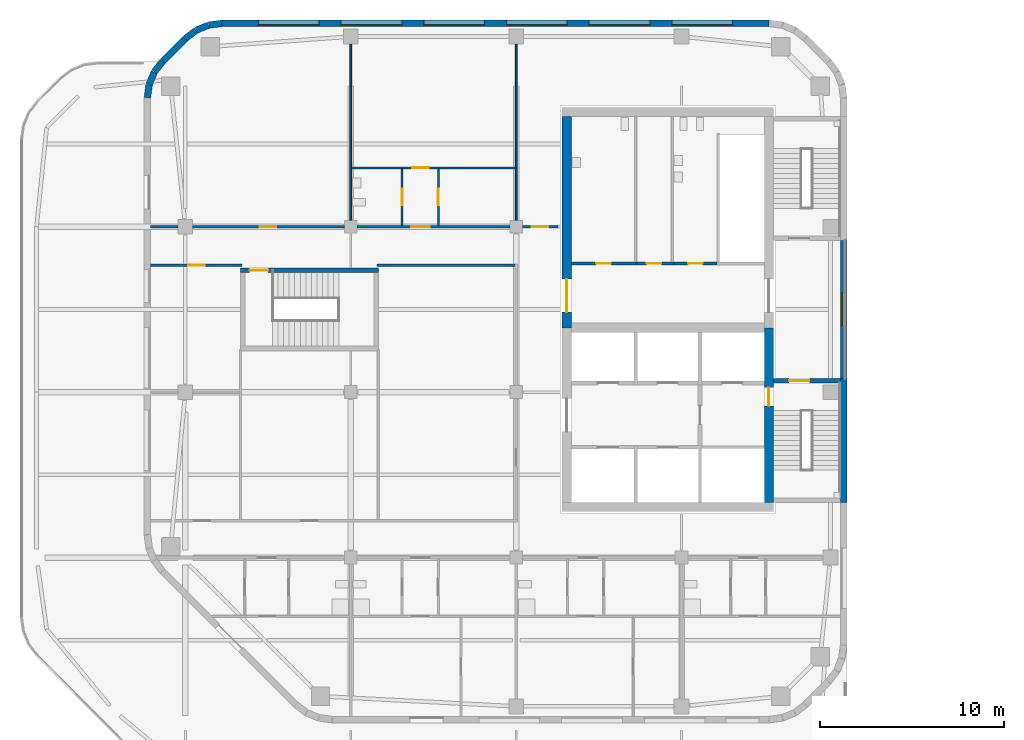
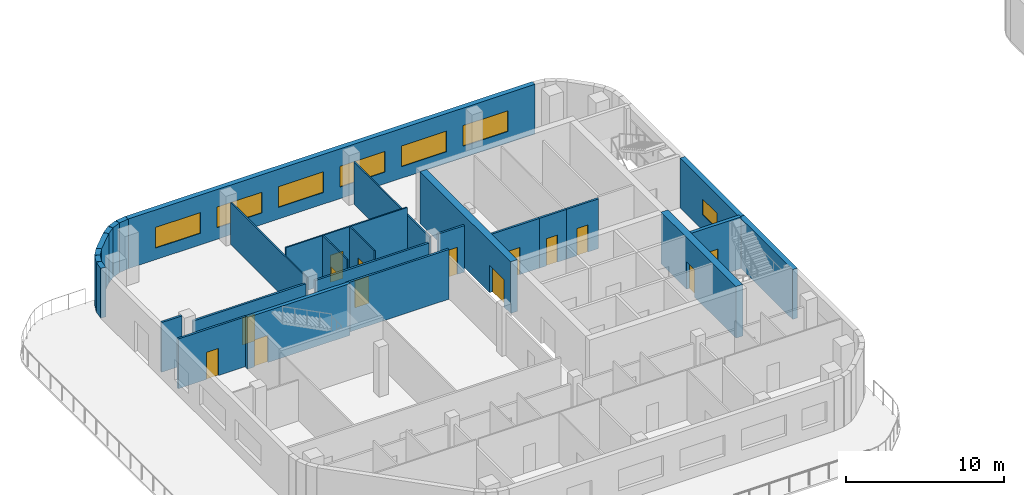
# One storey, part 7 of 15: 28 walls, 14 doors, 7 windows, 21 openings.
"""IFC4 building model written with IfcOpenShell, lengths in metres."""

from ifc_helpers import new_model, si_unit, direction, frame, frame_2d, origin, place, context, subcontext, project, spatial, rectangle, extrude, material, layer, layer_set, type_object, element, fill, save


model = new_model("IFC4")

# Units and contexts
model_context = context("Model", 3, precision=1e-05, world=origin(), true_north=direction((0.0, 1.0)))
body_context = subcontext(model_context, "Body", "Model", "MODEL_VIEW")
ifc_project = project(units=[si_unit("LENGTHUNIT", "METRE"), si_unit("AREAUNIT", "SQUARE_METRE"), si_unit("VOLUMEUNIT", "CUBIC_METRE"), si_unit("PLANEANGLEUNIT", "RADIAN"), si_unit("MASSUNIT", "GRAM", prefix="KILO")], contexts=[model_context])

# Site, building, storey
site_placement = place(None, origin())
site = spatial("IfcSite", under=ifc_project, at=site_placement, CompositionType="ELEMENT")
building_placement = place(site_placement, origin())
building = spatial("IfcBuilding", under=site, at=building_placement, Name="Cinnabar Reach Civic Tower", CompositionType="ELEMENT")
storey_placement = place(building_placement, frame((0.0, 0.0, 51.0)))
storey = spatial("IfcBuildingStorey", under=building, at=storey_placement, Name="L11", CompositionType="ELEMENT", Elevation=51.0)

# Walls
ifc_material_1 = material(Name="Facing brick with insulated backing", Category="masonry")
ifc_layer_1 = layer(ifc_material_1, 0.36)
ifc_layer_set_1 = layer_set([ifc_layer_1], Name="Brick corner wall")
wall_type_1 = type_object("IfcWallType", Name="Brick corner wall", PredefinedType="STANDARD", material=ifc_layer_set_1)
for number, where, z_axis, x_axis, name in (
    (1, (-61.0186, 47.067, 0.0), (0.0, 0.0, 1.0), (-0.99144092581, -0.13055608231, 0.0), "Brick corner wall"),
    (2, (-61.7473, 46.9681, 0.0), (0.0, 0.0, 1.0), (-0.923871547278, -0.382702709855, 0.0), "Brick corner wall"),
):
    element("IfcWall", number, at=place(storey_placement, frame(where, z_axis=z_axis, x_axis=x_axis)), inside=storey, type_object=wall_type_1, Name=name, PredefinedType="STANDARD", context=body_context, shape_type="SweptSolid", body=[
        extrude(rectangle(XDim=0.7131, YDim=0.36, at=frame_2d((0.3565, 0.0))), origin(), (0.0, 0.0, 1.0), 3.85),
    ])
for number, where, z_axis, x_axis, name in (
    (3, (-62.4255, 46.684, 0.0), (0.0, 0.0, 1.0), (-0.793321924995, -0.608802368033, 0.0), "Brick corner wall"),
    (4, (-64.2498, 44.9913, 0.0), (0.0, 0.0, 1.0), (-0.608802368033, -0.793321924995, 0.0), "Brick corner wall"),
):
    element("IfcWall", number, at=place(storey_placement, frame(where, z_axis=z_axis, x_axis=x_axis)), inside=storey, type_object=wall_type_1, Name=name, PredefinedType="STANDARD", context=body_context, shape_type="SweptSolid", body=[
        extrude(rectangle(XDim=0.7132, YDim=0.36, at=frame_2d((0.3566, 0.0))), origin(), (0.0, 0.0, 1.0), 3.85),
    ])
for number, where, z_axis, x_axis, name in (
    (5, (-64.6952, 44.4061, 0.0), (0.0, 0.0, 1.0), (-0.382702709855, -0.923871547278, 0.0), "Brick corner wall"),
    (6, (-64.9739, 43.7256, 0.0), (0.0, 0.0, 1.0), (-0.13055608231, -0.99144092581, 0.0), "Brick corner wall"),
):
    element("IfcWall", number, at=place(storey_placement, frame(where, z_axis=z_axis, x_axis=x_axis)), inside=storey, type_object=wall_type_1, Name=name, PredefinedType="STANDARD", context=body_context, shape_type="SweptSolid", body=[
        extrude(rectangle(XDim=0.7131, YDim=0.36, at=frame_2d((0.3565, 0.0))), origin(), (0.0, 0.0, 1.0), 3.85),
    ])
ifc_layer_2 = layer(ifc_material_1, 0.36)
ifc_layer_set_2 = layer_set([ifc_layer_2], Name="Brick pier and spandrel wall")
wall_type_2 = type_object("IfcWallType", Name="Brick pier and spandrel wall", PredefinedType="STANDARD", material=ifc_layer_set_2)
wall_1_placement = place(storey_placement, frame((-27.18, 21.0, 0.0), z_axis=(0.0, 0.0, 1.0), x_axis=(0.0, 1.0, 0.0)))
element("IfcWall", 7, at=wall_1_placement, inside=storey, type_object=wall_type_2, Name="Brick facade wall", PredefinedType="STANDARD", context=body_context, shape_type="SweptSolid", body=[
    extrude(rectangle(XDim=6.75, YDim=0.36, at=frame_2d((3.375, 0.0))), origin(), (0.0, 0.0, 1.0), 3.85),
])

# Wall, opening, window
wall_2_placement = place(storey_placement, frame((-27.18, 27.75, 0.0), z_axis=(0.0, 0.0, 1.0), x_axis=(0.0, 1.0, 0.0)))
wall_2 = element("IfcWall", 8, at=wall_2_placement, inside=storey, type_object=wall_type_2, Name="Brick facade wall", PredefinedType="STANDARD", context=body_context, shape_type="SweptSolid", body=[
    extrude(rectangle(XDim=7.5, YDim=0.36, at=frame_2d((3.75, 0.0))), origin(), (0.0, 0.0, 1.0), 3.85),
])
opening_1_placement = place(wall_2_placement, frame((2.85, 0.0, 1.2)))
opening_1 = element("IfcOpeningElement", 9, at=opening_1_placement, cuts=wall_2, Name="Opening W2487", PredefinedType="OPENING", context=body_context, shape_type="SweptSolid", body=[
    extrude(rectangle(XDim=1.8, YDim=1.2, at=frame_2d((0.9, 0.6))), frame((0.0, 0.19, 0.0), z_axis=(0.0, -1.0, 0.0), x_axis=(1.0, 0.0, 0.0)), (0.0, 0.0, 1.0), 0.38),
])
ifc_material_2 = material(Name="Clear double glazing in aluminium frame", Category="aluminium")
window_type_1 = type_object("IfcWindowType", Name="Deep-set window C", PartitioningType="SINGLE_PANEL", PredefinedType="WINDOW", material=ifc_material_2)
window_1_placement = place(opening_1_placement, origin())
window_1 = element("IfcWindow", 10, at=window_1_placement, inside=storey, type_object=window_type_1, Name="Window east face", OverallHeight=1.2, OverallWidth=1.8, PartitioningType="SINGLE_PANEL", PredefinedType="WINDOW", context=body_context, shape_type="SweptSolid", body=[
    extrude(rectangle(XDim=1.8, YDim=1.2, at=frame_2d((0.9, 0.6))), frame((0.0, 0.13, 0.0), z_axis=(0.0, -1.0, 0.0), x_axis=(1.0, 0.0, 0.0)), (0.0, 0.0, 1.0), 0.06),
])
fill(opening_1, window_1)

# Wall, openings, windows
wall_3_placement = place(storey_placement, frame((-31.2426, 47.07, 0.0), z_axis=(0.0, 0.0, 1.0), x_axis=(-1.0, 0.0, 0.0)))
wall_3 = element("IfcWall", 11, at=wall_3_placement, inside=storey, type_object=wall_type_2, Name="Brick facade wall", PredefinedType="STANDARD", context=body_context, shape_type="SweptSolid", body=[
    extrude(rectangle(XDim=29.7648, YDim=0.36, at=frame_2d((14.8824, 0.0))), origin(), (0.0, 0.0, 1.0), 3.85),
])
opening_2_placement = place(wall_3_placement, frame((1.9824, 0.0, 0.9)))
opening_2 = element("IfcOpeningElement", 12, at=opening_2_placement, cuts=wall_3, Name="Opening W2488", PredefinedType="OPENING", context=body_context, shape_type="SweptSolid", body=[
    extrude(rectangle(XDim=3.3, YDim=1.6, at=frame_2d((1.65, 0.8))), frame((0.0, 0.19, 0.0), z_axis=(0.0, -1.0, 0.0), x_axis=(1.0, 0.0, 0.0)), (0.0, 0.0, 1.0), 0.38),
])
opening_3_placement = place(wall_3_placement, frame((6.4824, 0.0, 0.9)))
opening_3 = element("IfcOpeningElement", 13, at=opening_3_placement, cuts=wall_3, Name="Opening W2489", PredefinedType="OPENING", context=body_context, shape_type="SweptSolid", body=[
    extrude(rectangle(XDim=3.3, YDim=1.6, at=frame_2d((1.65, 0.8))), frame((0.0, 0.19, 0.0), z_axis=(0.0, -1.0, 0.0), x_axis=(1.0, 0.0, 0.0)), (0.0, 0.0, 1.0), 0.38),
])
opening_4_placement = place(wall_3_placement, frame((10.9824, 0.0, 0.9)))
opening_4 = element("IfcOpeningElement", 14, at=opening_4_placement, cuts=wall_3, Name="Opening W2490", PredefinedType="OPENING", context=body_context, shape_type="SweptSolid", body=[
    extrude(rectangle(XDim=3.3, YDim=1.6, at=frame_2d((1.65, 0.8))), frame((0.0, 0.19, 0.0), z_axis=(0.0, -1.0, 0.0), x_axis=(1.0, 0.0, 0.0)), (0.0, 0.0, 1.0), 0.38),
])
opening_5_placement = place(wall_3_placement, frame((15.4824, 0.0, 0.9)))
opening_5 = element("IfcOpeningElement", 15, at=opening_5_placement, cuts=wall_3, Name="Opening W2491", PredefinedType="OPENING", context=body_context, shape_type="SweptSolid", body=[
    extrude(rectangle(XDim=3.3, YDim=1.6, at=frame_2d((1.65, 0.8))), frame((0.0, 0.19, 0.0), z_axis=(0.0, -1.0, 0.0), x_axis=(1.0, 0.0, 0.0)), (0.0, 0.0, 1.0), 0.38),
])
opening_6_placement = place(wall_3_placement, frame((19.9824, 0.0, 0.9)))
opening_6 = element("IfcOpeningElement", 16, at=opening_6_placement, cuts=wall_3, Name="Opening W2492", PredefinedType="OPENING", context=body_context, shape_type="SweptSolid", body=[
    extrude(rectangle(XDim=3.3, YDim=1.6, at=frame_2d((1.65, 0.8))), frame((0.0, 0.19, 0.0), z_axis=(0.0, -1.0, 0.0), x_axis=(1.0, 0.0, 0.0)), (0.0, 0.0, 1.0), 0.38),
])
opening_7_placement = place(wall_3_placement, frame((24.4824, 0.0, 0.9)))
opening_7 = element("IfcOpeningElement", 17, at=opening_7_placement, cuts=wall_3, Name="Opening W2493", PredefinedType="OPENING", context=body_context, shape_type="SweptSolid", body=[
    extrude(rectangle(XDim=3.3, YDim=1.6, at=frame_2d((1.65, 0.8))), frame((0.0, 0.19, 0.0), z_axis=(0.0, -1.0, 0.0), x_axis=(1.0, 0.0, 0.0)), (0.0, 0.0, 1.0), 0.38),
])
window_type_2 = type_object("IfcWindowType", Name="Deep-set window A", PartitioningType="SINGLE_PANEL", PredefinedType="WINDOW", material=ifc_material_2)
window_2_placement = place(opening_2_placement, origin())
window_2 = element("IfcWindow", 18, at=window_2_placement, inside=storey, type_object=window_type_2, Name="Window north face", OverallHeight=1.6, OverallWidth=3.3, PartitioningType="SINGLE_PANEL", PredefinedType="WINDOW", context=body_context, shape_type="SweptSolid", body=[
    extrude(rectangle(XDim=3.3, YDim=1.6, at=frame_2d((1.65, 0.8))), frame((0.0, 0.13, 0.0), z_axis=(0.0, -1.0, 0.0), x_axis=(1.0, 0.0, 0.0)), (0.0, 0.0, 1.0), 0.06),
])
fill(opening_2, window_2)
window_3_placement = place(opening_3_placement, origin())
window_3 = element("IfcWindow", 19, at=window_3_placement, inside=storey, type_object=window_type_2, Name="Window north face", OverallHeight=1.6, OverallWidth=3.3, PartitioningType="SINGLE_PANEL", PredefinedType="WINDOW", context=body_context, shape_type="SweptSolid", body=[
    extrude(rectangle(XDim=3.3, YDim=1.6, at=frame_2d((1.65, 0.8))), frame((0.0, 0.13, 0.0), z_axis=(0.0, -1.0, 0.0), x_axis=(1.0, 0.0, 0.0)), (0.0, 0.0, 1.0), 0.06),
])
fill(opening_3, window_3)
window_4_placement = place(opening_4_placement, origin())
window_4 = element("IfcWindow", 20, at=window_4_placement, inside=storey, type_object=window_type_2, Name="Window north face", OverallHeight=1.6, OverallWidth=3.3, PartitioningType="SINGLE_PANEL", PredefinedType="WINDOW", context=body_context, shape_type="SweptSolid", body=[
    extrude(rectangle(XDim=3.3, YDim=1.6, at=frame_2d((1.65, 0.8))), frame((0.0, 0.13, 0.0), z_axis=(0.0, -1.0, 0.0), x_axis=(1.0, 0.0, 0.0)), (0.0, 0.0, 1.0), 0.06),
])
fill(opening_4, window_4)
window_5_placement = place(opening_5_placement, origin())
window_5 = element("IfcWindow", 21, at=window_5_placement, inside=storey, type_object=window_type_2, Name="Window north face", OverallHeight=1.6, OverallWidth=3.3, PartitioningType="SINGLE_PANEL", PredefinedType="WINDOW", context=body_context, shape_type="SweptSolid", body=[
    extrude(rectangle(XDim=3.3, YDim=1.6, at=frame_2d((1.65, 0.8))), frame((0.0, 0.13, 0.0), z_axis=(0.0, -1.0, 0.0), x_axis=(1.0, 0.0, 0.0)), (0.0, 0.0, 1.0), 0.06),
])
fill(opening_5, window_5)
window_6_placement = place(opening_6_placement, origin())
window_6 = element("IfcWindow", 22, at=window_6_placement, inside=storey, type_object=window_type_2, Name="Window north face", OverallHeight=1.6, OverallWidth=3.3, PartitioningType="SINGLE_PANEL", PredefinedType="WINDOW", context=body_context, shape_type="SweptSolid", body=[
    extrude(rectangle(XDim=3.3, YDim=1.6, at=frame_2d((1.65, 0.8))), frame((0.0, 0.13, 0.0), z_axis=(0.0, -1.0, 0.0), x_axis=(1.0, 0.0, 0.0)), (0.0, 0.0, 1.0), 0.06),
])
fill(opening_6, window_6)
window_7_placement = place(opening_7_placement, origin())
window_7 = element("IfcWindow", 23, at=window_7_placement, inside=storey, type_object=window_type_2, Name="Window north face", OverallHeight=1.6, OverallWidth=3.3, PartitioningType="SINGLE_PANEL", PredefinedType="WINDOW", context=body_context, shape_type="SweptSolid", body=[
    extrude(rectangle(XDim=3.3, YDim=1.6, at=frame_2d((1.65, 0.8))), frame((0.0, 0.13, 0.0), z_axis=(0.0, -1.0, 0.0), x_axis=(1.0, 0.0, 0.0)), (0.0, 0.0, 1.0), 0.06),
])
fill(opening_7, window_7)

# Wall
wall_4_placement = place(storey_placement, frame((-63.0014, 46.244, 0.0), z_axis=(0.0, 0.0, 1.0), x_axis=(-0.707106781187, -0.707106781187, 0.0)))
element("IfcWall", 24, at=wall_4_placement, inside=storey, type_object=wall_type_2, Name="Brick facade wall", PredefinedType="STANDARD", context=body_context, shape_type="SweptSolid", body=[
    extrude(rectangle(XDim=1.7573, YDim=0.36, at=frame_2d((0.8787, 0.0))), origin(), (0.0, 0.0, 1.0), 3.85),
])

# Wall, opening, door
ifc_material_3 = material(Name="Concrete C60", Category="concrete")
ifc_layer_3 = layer(ifc_material_3, 0.5)
ifc_layer_set_3 = layer_set([ifc_layer_3], Name="Core wall 500 EI 180")
wall_type_3 = type_object("IfcWallType", Name="Core wall 500 EI 180", PredefinedType="SOLIDWALL", material=ifc_layer_set_3)
wall_5_placement = place(storey_placement, frame((-31.25, 21.0, 0.0), z_axis=(0.0, 0.0, 1.0), x_axis=(0.0, 1.0, 0.0)))
wall_5 = element("IfcWall", 25, at=wall_5_placement, inside=storey, type_object=wall_type_3, Name="Core wall T2 L11 E", PredefinedType="SOLIDWALL", context=body_context, shape_type="SweptSolid", body=[
    extrude(rectangle(XDim=9.5, YDim=0.5, at=frame_2d((4.75, 0.0))), origin(), (0.0, 0.0, 1.0), 4.0),
])
opening_8_placement = place(wall_5_placement, frame((5.25, 0.0, 0.0)))
opening_8 = element("IfcOpeningElement", 26, at=opening_8_placement, cuts=wall_5, Name="Opening D6403", PredefinedType="OPENING", context=body_context, shape_type="SweptSolid", body=[
    extrude(rectangle(XDim=1.0, YDim=2.1, at=frame_2d((0.5, 1.05))), frame((0.0, 0.26, 0.0), z_axis=(0.0, -1.0, 0.0), x_axis=(1.0, 0.0, 0.0)), (0.0, 0.0, 1.0), 0.52),
])
ifc_material_4 = material(Name="Steel fire door", Category="steel")
door_type_1 = type_object("IfcDoorType", Name="T2 Firefighting lobby door 1000", OperationType="SINGLE_SWING_LEFT", PredefinedType="DOOR", material=ifc_material_4)
door_1_placement = place(opening_8_placement, frame((1.0, 0.0, 0.0), z_axis=(0.0, 0.0, 1.0), x_axis=(-1.0, 0.0, 0.0)))
door_1 = element("IfcDoor", 27, at=door_1_placement, inside=storey, type_object=door_type_1, Name="T2 Firefighting lobby door D6403", OperationType="SINGLE_SWING_LEFT", OverallHeight=2.1, OverallWidth=1.0, PredefinedType="DOOR", context=body_context, shape_type="SweptSolid", body=[
    extrude(rectangle(XDim=1.0, YDim=2.1, at=frame_2d((0.5, 1.05))), frame((0.0, 0.025, 0.0), z_axis=(0.0, -1.0, 0.0), x_axis=(1.0, 0.0, 0.0)), (0.0, 0.0, 1.0), 0.05),
])
fill(opening_8, door_1)

wall_6_placement = place(storey_placement, frame((-42.25, 42.0, 0.0), z_axis=(0.0, 0.0, 1.0), x_axis=(0.0, -1.0, 0.0)))
wall_6 = element("IfcWall", 28, at=wall_6_placement, inside=storey, type_object=wall_type_3, Name="Core wall T2 L11 W", PredefinedType="SOLIDWALL", context=body_context, shape_type="SweptSolid", body=[
    extrude(rectangle(XDim=11.5, YDim=0.5, at=frame_2d((5.75, 0.0))), origin(), (0.0, 0.0, 1.0), 4.0),
])
opening_9_placement = place(wall_6_placement, frame((8.85, 0.0, 0.0)))
opening_9 = element("IfcOpeningElement", 29, at=opening_9_placement, cuts=wall_6, Name="Opening D6408", PredefinedType="OPENING", context=body_context, shape_type="SweptSolid", body=[
    extrude(rectangle(XDim=1.8, YDim=2.1, at=frame_2d((0.9, 1.05))), frame((0.0, 0.26, 0.0), z_axis=(0.0, -1.0, 0.0), x_axis=(1.0, 0.0, 0.0)), (0.0, 0.0, 1.0), 0.52),
])
door_type_2 = type_object("IfcDoorType", Name="T2 Double door 1800", OperationType="DOUBLE_DOOR_SINGLE_SWING", PredefinedType="DOOR", material=ifc_material_4)
door_2_placement = place(opening_9_placement, frame((1.8, 0.0, 0.0), z_axis=(0.0, 0.0, 1.0), x_axis=(-1.0, 0.0, 0.0)))
door_2 = element("IfcDoor", 30, at=door_2_placement, inside=storey, type_object=door_type_2, Name="T2 Double door D6408", OperationType="DOUBLE_DOOR_SINGLE_SWING", OverallHeight=2.1, OverallWidth=1.8, PredefinedType="DOOR", context=body_context, shape_type="SweptSolid", body=[
    extrude(rectangle(XDim=1.8, YDim=2.1, at=frame_2d((0.9, 1.05))), frame((0.0, 0.025, 0.0), z_axis=(0.0, -1.0, 0.0), x_axis=(1.0, 0.0, 0.0)), (0.0, 0.0, 1.0), 0.05),
])
fill(opening_9, door_2)

ifc_material_5 = material(Name="Gypsum board on steel studs, double layer", Category="steel")
ifc_layer_4 = layer(ifc_material_5, 0.15)
ifc_layer_set_4 = layer_set([ifc_layer_4], Name="Corridor wall 150 T2")
wall_type_4 = type_object("IfcWallType", Name="Corridor wall 150 T2", PredefinedType="PARTITIONING", material=ifc_layer_set_4)
wall_7_placement = place(storey_placement, frame((-44.65, 36.0, 0.0), z_axis=(0.0, 0.0, 1.0), x_axis=(1.0, 0.0, 0.0)))
wall_7 = element("IfcWall", 31, at=wall_7_placement, inside=storey, type_object=wall_type_4, Name="Corridor wall 5", PredefinedType="PARTITIONING", context=body_context, shape_type="SweptSolid", body=[
    extrude(rectangle(XDim=1.925, YDim=0.15, at=frame_2d((0.9625, 0.0))), origin(), (0.0, 0.0, 1.0), 3.602),
])
opening_10_placement = place(wall_7_placement, frame((0.5, 0.0, 0.0)))
opening_10 = element("IfcOpeningElement", 32, at=opening_10_placement, cuts=wall_7, Name="Opening D6412", PredefinedType="OPENING", context=body_context, shape_type="SweptSolid", body=[
    extrude(rectangle(XDim=0.9, YDim=2.1, at=frame_2d((0.45, 1.05))), frame((0.0, 0.085, 0.0), z_axis=(0.0, -1.0, 0.0), x_axis=(1.0, 0.0, 0.0)), (0.0, 0.0, 1.0), 0.17),
])
ifc_material_6 = material(Name="Timber door leaf in steel frame", Category="steel")
door_type_3 = type_object("IfcDoorType", Name="Single swing door 900 x 2100 T2", OperationType="SINGLE_SWING_LEFT", PredefinedType="DOOR", material=ifc_material_6)
door_3_placement = place(opening_10_placement, origin())
door_3 = element("IfcDoor", 33, at=door_3_placement, inside=storey, type_object=door_type_3, Name="Door D6412", OperationType="SINGLE_SWING_LEFT", OverallHeight=2.1, OverallWidth=0.9, PredefinedType="DOOR", context=body_context, shape_type="SweptSolid", body=[
    extrude(rectangle(XDim=0.9, YDim=2.1, at=frame_2d((0.45, 1.05))), frame((0.0, 0.025, 0.0), z_axis=(0.0, -1.0, 0.0), x_axis=(1.0, 0.0, 0.0)), (0.0, 0.0, 1.0), 0.05),
])
fill(opening_10, door_3)

wall_8_placement = place(storey_placement, frame((-53.65, 36.0, 0.0), z_axis=(0.0, 0.0, 1.0), x_axis=(1.0, 0.0, 0.0)))
wall_8 = element("IfcWall", 34, at=wall_8_placement, inside=storey, type_object=wall_type_4, Name="Corridor wall 6", PredefinedType="PARTITIONING", context=body_context, shape_type="SweptSolid", body=[
    extrude(rectangle(XDim=8.3, YDim=0.15, at=frame_2d((4.15, 0.0))), origin(), (0.0, 0.0, 1.0), 3.158),
])
opening_11_placement = place(wall_8_placement, frame((2.94, 0.0, 0.0)))
opening_11 = element("IfcOpeningElement", 35, at=opening_11_placement, cuts=wall_8, Name="Opening D6435", PredefinedType="OPENING", context=body_context, shape_type="SweptSolid", body=[
    extrude(rectangle(XDim=1.0, YDim=2.1, at=frame_2d((0.5, 1.05))), frame((0.0, 0.085, 0.0), z_axis=(0.0, -1.0, 0.0), x_axis=(1.0, 0.0, 0.0)), (0.0, 0.0, 1.0), 0.17),
])
door_type_4 = type_object("IfcDoorType", Name="Tenancy entrance door 1000 x 2100 T2", OperationType="SINGLE_SWING_LEFT", PredefinedType="DOOR", material=ifc_material_6)
door_4_placement = place(opening_11_placement, origin())
door_4 = element("IfcDoor", 36, at=door_4_placement, inside=storey, type_object=door_type_4, Name="Door D6435", OperationType="SINGLE_SWING_RIGHT", OverallHeight=2.1, OverallWidth=1.0, PredefinedType="DOOR", context=body_context, shape_type="SweptSolid", body=[
    extrude(rectangle(XDim=1.0, YDim=2.1, at=frame_2d((0.5, 1.05))), frame((0.0, 0.025, 0.0), z_axis=(0.0, -1.0, 0.0), x_axis=(1.0, 0.0, 0.0)), (0.0, 0.0, 1.0), 0.05),
])
fill(opening_11, door_4)

wall_9_placement = place(storey_placement, frame((-62.6, 36.0, 0.0), z_axis=(0.0, 0.0, 1.0), x_axis=(1.0, 0.0, 0.0)))
wall_9 = element("IfcWall", 37, at=wall_9_placement, inside=storey, type_object=wall_type_4, Name="Corridor wall 7", PredefinedType="PARTITIONING", context=body_context, shape_type="SweptSolid", body=[
    extrude(rectangle(XDim=8.25, YDim=0.15, at=frame_2d((4.125, 0.0))), origin(), (0.0, 0.0, 1.0), 3.158),
])
opening_12_placement = place(wall_9_placement, frame((3.65, 0.0, 0.0)))
opening_12 = element("IfcOpeningElement", 38, at=opening_12_placement, cuts=wall_9, Name="Opening D6431", PredefinedType="OPENING", context=body_context, shape_type="SweptSolid", body=[
    extrude(rectangle(XDim=0.9, YDim=2.1, at=frame_2d((0.45, 1.05))), frame((0.0, 0.085, 0.0), z_axis=(0.0, -1.0, 0.0), x_axis=(1.0, 0.0, 0.0)), (0.0, 0.0, 1.0), 0.17),
])
door_5_placement = place(opening_12_placement, origin())
door_5 = element("IfcDoor", 39, at=door_5_placement, inside=storey, type_object=door_type_3, Name="Door D6431", OperationType="SINGLE_SWING_LEFT", OverallHeight=2.1, OverallWidth=0.9, PredefinedType="DOOR", context=body_context, shape_type="SweptSolid", body=[
    extrude(rectangle(XDim=0.9, YDim=2.1, at=frame_2d((0.45, 1.05))), frame((0.0, 0.025, 0.0), z_axis=(0.0, -1.0, 0.0), x_axis=(1.0, 0.0, 0.0)), (0.0, 0.0, 1.0), 0.05),
])
fill(opening_12, door_5)

# Walls
wall_10_placement = place(storey_placement, frame((-64.89, 36.0, 0.0), z_axis=(0.0, 0.0, 1.0), x_axis=(1.0, 0.0, 0.0)))
element("IfcWall", 40, at=wall_10_placement, inside=storey, type_object=wall_type_4, Name="Corridor wall 8", PredefinedType="PARTITIONING", context=body_context, shape_type="SweptSolid", body=[
    extrude(rectangle(XDim=1.49, YDim=0.15, at=frame_2d((0.745, 0.0))), origin(), (0.0, 0.0, 1.0), 3.85),
])
wall_11_placement = place(storey_placement, frame((-52.575, 33.9, 0.0), z_axis=(0.0, 0.0, 1.0), x_axis=(1.0, 0.0, 0.0)))
element("IfcWall", 41, at=wall_11_placement, inside=storey, type_object=wall_type_4, Name="Corridor wall 12", PredefinedType="PARTITIONING", context=body_context, shape_type="SweptSolid", body=[
    extrude(rectangle(XDim=7.5, YDim=0.15, at=frame_2d((3.75, 0.0))), origin(), (0.0, 0.0, 1.0), 3.85),
])

# Wall, opening, door
wall_12_placement = place(storey_placement, frame((-64.89, 33.9, 0.0), z_axis=(0.0, 0.0, 1.0), x_axis=(1.0, 0.0, 0.0)))
wall_12 = element("IfcWall", 42, at=wall_12_placement, inside=storey, type_object=wall_type_4, Name="Corridor wall 13", PredefinedType="PARTITIONING", context=body_context, shape_type="SweptSolid", body=[
    extrude(rectangle(XDim=4.965, YDim=0.15, at=frame_2d((2.4825, 0.0))), origin(), (0.0, 0.0, 1.0), 3.85),
])
opening_13_placement = place(wall_12_placement, frame((2.05, 0.0, 0.0)))
opening_13 = element("IfcOpeningElement", 43, at=opening_13_placement, cuts=wall_12, Name="Opening D6437", PredefinedType="OPENING", context=body_context, shape_type="SweptSolid", body=[
    extrude(rectangle(XDim=0.9, YDim=2.1, at=frame_2d((0.45, 1.05))), frame((0.0, 0.085, 0.0), z_axis=(0.0, -1.0, 0.0), x_axis=(1.0, 0.0, 0.0)), (0.0, 0.0, 1.0), 0.17),
])
door_6_placement = place(opening_13_placement, frame((0.9, 0.0, 0.0), z_axis=(0.0, 0.0, 1.0), x_axis=(-1.0, 0.0, 0.0)))
door_6 = element("IfcDoor", 44, at=door_6_placement, inside=storey, type_object=door_type_3, Name="Door D6437", OperationType="SINGLE_SWING_LEFT", OverallHeight=2.1, OverallWidth=0.9, PredefinedType="DOOR", context=body_context, shape_type="SweptSolid", body=[
    extrude(rectangle(XDim=0.9, YDim=2.1, at=frame_2d((0.45, 1.05))), frame((0.0, 0.025, 0.0), z_axis=(0.0, -1.0, 0.0), x_axis=(1.0, 0.0, 0.0)), (0.0, 0.0, 1.0), 0.05),
])
fill(opening_13, door_6)

# Walls
ifc_material_7 = material(Name="Gypsum board on steel studs", Category="steel")
ifc_layer_5 = layer(ifc_material_7, 0.1)
ifc_layer_set_5 = layer_set([ifc_layer_5], Name="Partition wall 100 T2")
wall_type_5 = type_object("IfcWallType", Name="Partition wall 100 T2", PredefinedType="PARTITIONING", material=ifc_layer_set_5)
for number, where, z_axis, x_axis, name in (
    (45, (-54.0, 36.35, 0.0), (0.0, 0.0, 1.0), (0.0, 1.0, 0.0), "Partition wall 21"),
    (46, (-45.0, 36.35, 0.0), (0.0, 0.0, 1.0), (0.0, 1.0, 0.0), "Partition wall 22"),
):
    element("IfcWall", number, at=place(storey_placement, frame(where, z_axis=z_axis, x_axis=x_axis)), inside=storey, type_object=wall_type_5, Name=name, PredefinedType="PARTITIONING", context=body_context, shape_type="SweptSolid", body=[
        extrude(rectangle(XDim=9.6, YDim=0.1, at=frame_2d((4.8, 0.0))), origin(), (0.0, 0.0, 1.0), 3.256),
    ])

# Wall, opening, door
wall_13_placement = place(storey_placement, frame((-53.95, 39.2, 0.0), z_axis=(0.0, 0.0, 1.0), x_axis=(1.0, 0.0, 0.0)))
wall_13 = element("IfcWall", 47, at=wall_13_placement, inside=storey, type_object=wall_type_5, Name="Partition wall 25", PredefinedType="PARTITIONING", context=body_context, shape_type="SweptSolid", body=[
    extrude(rectangle(XDim=8.9, YDim=0.1, at=frame_2d((4.45, 0.0))), origin(), (0.0, 0.0, 1.0), 3.85),
])
opening_14_placement = place(wall_13_placement, frame((3.29, 0.0, 0.0)))
opening_14 = element("IfcOpeningElement", 48, at=opening_14_placement, cuts=wall_13, Name="Opening D6434", PredefinedType="OPENING", context=body_context, shape_type="SweptSolid", body=[
    extrude(rectangle(XDim=0.9, YDim=2.1, at=frame_2d((0.45, 1.05))), frame((0.0, 0.06, 0.0), z_axis=(0.0, -1.0, 0.0), x_axis=(1.0, 0.0, 0.0)), (0.0, 0.0, 1.0), 0.12),
])
door_7_placement = place(opening_14_placement, frame((0.9, 0.0, 0.0), z_axis=(0.0, 0.0, 1.0), x_axis=(-1.0, 0.0, 0.0)))
door_7 = element("IfcDoor", 49, at=door_7_placement, inside=storey, type_object=door_type_3, Name="Door D6434", OperationType="SINGLE_SWING_RIGHT", OverallHeight=2.1, OverallWidth=0.9, PredefinedType="DOOR", context=body_context, shape_type="SweptSolid", body=[
    extrude(rectangle(XDim=0.9, YDim=2.1, at=frame_2d((0.45, 1.05))), frame((0.0, 0.025, 0.0), z_axis=(0.0, -1.0, 0.0), x_axis=(1.0, 0.0, 0.0)), (0.0, 0.0, 1.0), 0.05),
])
fill(opening_14, door_7)

wall_14_placement = place(storey_placement, frame((-51.21, 36.075, 0.0), z_axis=(0.0, 0.0, 1.0), x_axis=(0.0, 1.0, 0.0)))
wall_14 = element("IfcWall", 50, at=wall_14_placement, inside=storey, type_object=wall_type_5, Name="Partition wall 30", PredefinedType="PARTITIONING", context=body_context, shape_type="SweptSolid", body=[
    extrude(rectangle(XDim=3.075, YDim=0.1, at=frame_2d((1.5375, 0.0))), origin(), (0.0, 0.0, 1.0), 3.85),
])
opening_15_placement = place(wall_14_placement, frame((1.1, 0.0, 0.0)))
opening_15 = element("IfcOpeningElement", 51, at=opening_15_placement, cuts=wall_14, Name="Opening D6432", PredefinedType="OPENING", context=body_context, shape_type="SweptSolid", body=[
    extrude(rectangle(XDim=0.9, YDim=2.1, at=frame_2d((0.45, 1.05))), frame((0.0, 0.06, 0.0), z_axis=(0.0, -1.0, 0.0), x_axis=(1.0, 0.0, 0.0)), (0.0, 0.0, 1.0), 0.12),
])
door_8_placement = place(opening_15_placement, origin())
door_8 = element("IfcDoor", 52, at=door_8_placement, inside=storey, type_object=door_type_3, Name="Door D6432", OperationType="SINGLE_SWING_RIGHT", OverallHeight=2.1, OverallWidth=0.9, PredefinedType="DOOR", context=body_context, shape_type="SweptSolid", body=[
    extrude(rectangle(XDim=0.9, YDim=2.1, at=frame_2d((0.45, 1.05))), frame((0.0, 0.025, 0.0), z_axis=(0.0, -1.0, 0.0), x_axis=(1.0, 0.0, 0.0)), (0.0, 0.0, 1.0), 0.05),
])
fill(opening_15, door_8)

wall_15_placement = place(storey_placement, frame((-49.23, 36.075, 0.0), z_axis=(0.0, 0.0, 1.0), x_axis=(0.0, 1.0, 0.0)))
wall_15 = element("IfcWall", 53, at=wall_15_placement, inside=storey, type_object=wall_type_5, Name="Partition wall 31", PredefinedType="PARTITIONING", context=body_context, shape_type="SweptSolid", body=[
    extrude(rectangle(XDim=3.075, YDim=0.1, at=frame_2d((1.5375, 0.0))), origin(), (0.0, 0.0, 1.0), 3.85),
])
opening_16_placement = place(wall_15_placement, frame((1.1, 0.0, 0.0)))
opening_16 = element("IfcOpeningElement", 54, at=opening_16_placement, cuts=wall_15, Name="Opening D6433", PredefinedType="OPENING", context=body_context, shape_type="SweptSolid", body=[
    extrude(rectangle(XDim=0.9, YDim=2.1, at=frame_2d((0.45, 1.05))), frame((0.0, 0.06, 0.0), z_axis=(0.0, -1.0, 0.0), x_axis=(1.0, 0.0, 0.0)), (0.0, 0.0, 1.0), 0.12),
])
door_9_placement = place(opening_16_placement, origin())
door_9 = element("IfcDoor", 55, at=door_9_placement, inside=storey, type_object=door_type_3, Name="Door D6433", OperationType="SINGLE_SWING_LEFT", OverallHeight=2.1, OverallWidth=0.9, PredefinedType="DOOR", context=body_context, shape_type="SweptSolid", body=[
    extrude(rectangle(XDim=0.9, YDim=2.1, at=frame_2d((0.45, 1.05))), frame((0.0, 0.025, 0.0), z_axis=(0.0, -1.0, 0.0), x_axis=(1.0, 0.0, 0.0)), (0.0, 0.0, 1.0), 0.05),
])
fill(opening_16, door_9)

ifc_layer_6 = layer(ifc_material_3, 0.25)
ifc_layer_set_6 = layer_set([ifc_layer_6], Name="Stair shaft wall 250 EI 120")
wall_type_6 = type_object("IfcWallType", Name="Stair shaft wall 250 EI 120", PredefinedType="SOLIDWALL", material=ifc_layer_set_6)
wall_16_placement = place(storey_placement, frame((-27.36, 27.625, 0.0), z_axis=(0.0, 0.0, 1.0), x_axis=(-1.0, 0.0, 0.0)))
wall_16 = element("IfcWall", 56, at=wall_16_placement, inside=storey, type_object=wall_type_6, Name="Stair shaft wall T2-S1 L11", PredefinedType="SOLIDWALL", context=body_context, shape_type="SweptSolid", body=[
    extrude(rectangle(XDim=3.64, YDim=0.25, at=frame_2d((1.82, 0.0))), origin(), (0.0, 0.0, 1.0), 4.0),
])
opening_17_placement = place(wall_16_placement, frame((1.69, 0.0, 0.0)))
opening_17 = element("IfcOpeningElement", 57, at=opening_17_placement, cuts=wall_16, Name="Opening D6404", PredefinedType="OPENING", context=body_context, shape_type="SweptSolid", body=[
    extrude(rectangle(XDim=1.1, YDim=2.1, at=frame_2d((0.55, 1.05))), frame((0.0, 0.135, 0.0), z_axis=(0.0, -1.0, 0.0), x_axis=(1.0, 0.0, 0.0)), (0.0, 0.0, 1.0), 0.27),
])
door_type_5 = type_object("IfcDoorType", Name="T2 Stair door 1100", OperationType="SINGLE_SWING_LEFT", PredefinedType="DOOR", material=ifc_material_4)
door_10_placement = place(opening_17_placement, origin())
door_10 = element("IfcDoor", 58, at=door_10_placement, inside=storey, type_object=door_type_5, Name="T2 Stair door D6404", OperationType="SINGLE_SWING_RIGHT", OverallHeight=2.1, OverallWidth=1.1, PredefinedType="DOOR", context=body_context, shape_type="SweptSolid", body=[
    extrude(rectangle(XDim=1.1, YDim=2.1, at=frame_2d((0.55, 1.05))), frame((0.0, 0.025, 0.0), z_axis=(0.0, -1.0, 0.0), x_axis=(1.0, 0.0, 0.0)), (0.0, 0.0, 1.0), 0.05),
])
fill(opening_17, door_10)

wall_17_placement = place(storey_placement, frame((-52.5, 33.625, 0.0), z_axis=(0.0, 0.0, 1.0), x_axis=(-1.0, 0.0, 0.0)))
wall_17 = element("IfcWall", 59, at=wall_17_placement, inside=storey, type_object=wall_type_6, Name="Stair shaft wall T2-S3 L11", PredefinedType="SOLIDWALL", context=body_context, shape_type="SweptSolid", body=[
    extrude(rectangle(XDim=7.5, YDim=0.25, at=frame_2d((3.75, 0.0))), origin(), (0.0, 0.0, 1.0), 4.0),
])
opening_18_placement = place(wall_17_placement, frame((6.0, 0.0, 0.0)))
opening_18 = element("IfcOpeningElement", 60, at=opening_18_placement, cuts=wall_17, Name="Opening D6440", PredefinedType="OPENING", context=body_context, shape_type="SweptSolid", body=[
    extrude(rectangle(XDim=1.0, YDim=2.1, at=frame_2d((0.5, 1.05))), frame((0.0, 0.135, 0.0), z_axis=(0.0, -1.0, 0.0), x_axis=(1.0, 0.0, 0.0)), (0.0, 0.0, 1.0), 0.27),
])
door_type_6 = type_object("IfcDoorType", Name="Stair door 1000 x 2100 T2", OperationType="SINGLE_SWING_LEFT", PredefinedType="DOOR", material=ifc_material_6)
door_11_placement = place(opening_18_placement, origin())
door_11 = element("IfcDoor", 61, at=door_11_placement, inside=storey, type_object=door_type_6, Name="Door D6440", OperationType="SINGLE_SWING_RIGHT", OverallHeight=2.1, OverallWidth=1.0, PredefinedType="DOOR", context=body_context, shape_type="SweptSolid", body=[
    extrude(rectangle(XDim=1.0, YDim=2.1, at=frame_2d((0.5, 1.05))), frame((0.0, 0.025, 0.0), z_axis=(0.0, -1.0, 0.0), x_axis=(1.0, 0.0, 0.0)), (0.0, 0.0, 1.0), 0.05),
])
fill(opening_18, door_11)

ifc_material_8 = material(Name="Masonry block partition", Category="masonry")
ifc_layer_7 = layer(ifc_material_8, 0.15)
ifc_layer_set_7 = layer_set([ifc_layer_7], Name="T2 Corridor wall 150")
wall_type_7 = type_object("IfcWallType", Name="T2 Corridor wall 150", PredefinedType="PARTITIONING", material=ifc_layer_set_7)
wall_18_placement = place(storey_placement, frame((-38.425, 34.0, 0.0), z_axis=(0.0, 0.0, 1.0), x_axis=(-1.0, 0.0, 0.0)))
wall_18 = element("IfcWall", 62, at=wall_18_placement, inside=storey, type_object=wall_type_7, Name="T2 Corridor wall L11 014", PredefinedType="PARTITIONING", context=body_context, shape_type="SweptSolid", body=[
    extrude(rectangle(XDim=3.575, YDim=0.15, at=frame_2d((1.7875, 0.0))), origin(), (0.0, 0.0, 1.0), 3.85),
])
opening_19_placement = place(wall_18_placement, frame((1.425, 0.0, 0.0)))
opening_19 = element("IfcOpeningElement", 63, at=opening_19_placement, cuts=wall_18, Name="Opening D6409", PredefinedType="OPENING", context=body_context, shape_type="SweptSolid", body=[
    extrude(rectangle(XDim=0.8, YDim=2.1, at=frame_2d((0.4, 1.05))), frame((0.0, 0.085, 0.0), z_axis=(0.0, -1.0, 0.0), x_axis=(1.0, 0.0, 0.0)), (0.0, 0.0, 1.0), 0.17),
])
ifc_material_9 = material(Name="Timber door leaf", Category="wood")
door_type_7 = type_object("IfcDoorType", Name="T2 Bathroom door 800", OperationType="SINGLE_SWING_LEFT", PredefinedType="DOOR", material=ifc_material_9)
door_12_placement = place(opening_19_placement, frame((0.8, 0.0, 0.0), z_axis=(0.0, 0.0, 1.0), x_axis=(-1.0, 0.0, 0.0)))
door_12 = element("IfcDoor", 64, at=door_12_placement, inside=storey, type_object=door_type_7, Name="T2 Bathroom door D6409", OperationType="SINGLE_SWING_RIGHT", OverallHeight=2.1, OverallWidth=0.8, PredefinedType="DOOR", context=body_context, shape_type="SweptSolid", body=[
    extrude(rectangle(XDim=0.8, YDim=2.1, at=frame_2d((0.4, 1.05))), frame((0.0, 0.025, 0.0), z_axis=(0.0, -1.0, 0.0), x_axis=(1.0, 0.0, 0.0)), (0.0, 0.0, 1.0), 0.05),
])
fill(opening_19, door_12)

wall_19_placement = place(storey_placement, frame((-36.425, 34.0, 0.0), z_axis=(0.0, 0.0, 1.0), x_axis=(-1.0, 0.0, 0.0)))
wall_19 = element("IfcWall", 65, at=wall_19_placement, inside=storey, type_object=wall_type_7, Name="T2 Corridor wall L11 015", PredefinedType="PARTITIONING", context=body_context, shape_type="SweptSolid", body=[
    extrude(rectangle(XDim=2.0, YDim=0.15, at=frame_2d((1.0, 0.0))), origin(), (0.0, 0.0, 1.0), 3.85),
])
opening_20_placement = place(wall_19_placement, frame((0.675, 0.0, 0.0)))
opening_20 = element("IfcOpeningElement", 66, at=opening_20_placement, cuts=wall_19, Name="Opening D6410", PredefinedType="OPENING", context=body_context, shape_type="SweptSolid", body=[
    extrude(rectangle(XDim=0.8, YDim=2.1, at=frame_2d((0.4, 1.05))), frame((0.0, 0.085, 0.0), z_axis=(0.0, -1.0, 0.0), x_axis=(1.0, 0.0, 0.0)), (0.0, 0.0, 1.0), 0.17),
])
door_13_placement = place(opening_20_placement, frame((0.8, 0.0, 0.0), z_axis=(0.0, 0.0, 1.0), x_axis=(-1.0, 0.0, 0.0)))
door_13 = element("IfcDoor", 67, at=door_13_placement, inside=storey, type_object=door_type_7, Name="T2 Bathroom door D6410", OperationType="SINGLE_SWING_LEFT", OverallHeight=2.1, OverallWidth=0.8, PredefinedType="DOOR", context=body_context, shape_type="SweptSolid", body=[
    extrude(rectangle(XDim=0.8, YDim=2.1, at=frame_2d((0.4, 1.05))), frame((0.0, 0.025, 0.0), z_axis=(0.0, -1.0, 0.0), x_axis=(1.0, 0.0, 0.0)), (0.0, 0.0, 1.0), 0.05),
])
fill(opening_20, door_13)

wall_20_placement = place(storey_placement, frame((-34.075, 34.0, 0.0), z_axis=(0.0, 0.0, 1.0), x_axis=(-1.0, 0.0, 0.0)))
wall_20 = element("IfcWall", 68, at=wall_20_placement, inside=storey, type_object=wall_type_7, Name="T2 Corridor wall L11 016", PredefinedType="PARTITIONING", context=body_context, shape_type="SweptSolid", body=[
    extrude(rectangle(XDim=2.35, YDim=0.15, at=frame_2d((1.175, 0.0))), origin(), (0.0, 0.0, 1.0), 3.85),
])
opening_21_placement = place(wall_20_placement, frame((0.775, 0.0, 0.0)))
opening_21 = element("IfcOpeningElement", 69, at=opening_21_placement, cuts=wall_20, Name="Opening D6411", PredefinedType="OPENING", context=body_context, shape_type="SweptSolid", body=[
    extrude(rectangle(XDim=0.8, YDim=2.1, at=frame_2d((0.4, 1.05))), frame((0.0, 0.085, 0.0), z_axis=(0.0, -1.0, 0.0), x_axis=(1.0, 0.0, 0.0)), (0.0, 0.0, 1.0), 0.17),
])
door_14_placement = place(opening_21_placement, frame((0.8, 0.0, 0.0), z_axis=(0.0, 0.0, 1.0), x_axis=(-1.0, 0.0, 0.0)))
door_14 = element("IfcDoor", 70, at=door_14_placement, inside=storey, type_object=door_type_7, Name="T2 Bathroom door D6411", OperationType="SINGLE_SWING_LEFT", OverallHeight=2.1, OverallWidth=0.8, PredefinedType="DOOR", context=body_context, shape_type="SweptSolid", body=[
    extrude(rectangle(XDim=0.8, YDim=2.1, at=frame_2d((0.4, 1.05))), frame((0.0, 0.025, 0.0), z_axis=(0.0, -1.0, 0.0), x_axis=(1.0, 0.0, 0.0)), (0.0, 0.0, 1.0), 0.05),
])
fill(opening_21, door_14)

save(model, "model.ifc")
